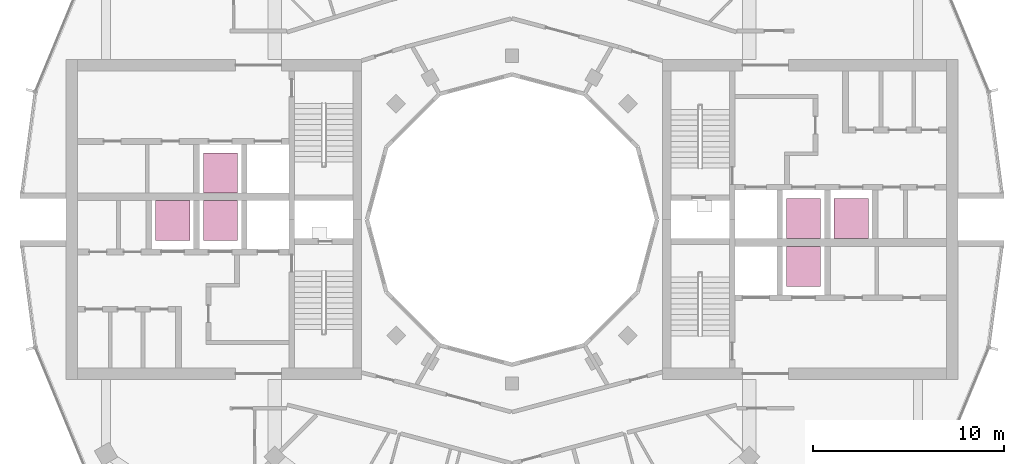
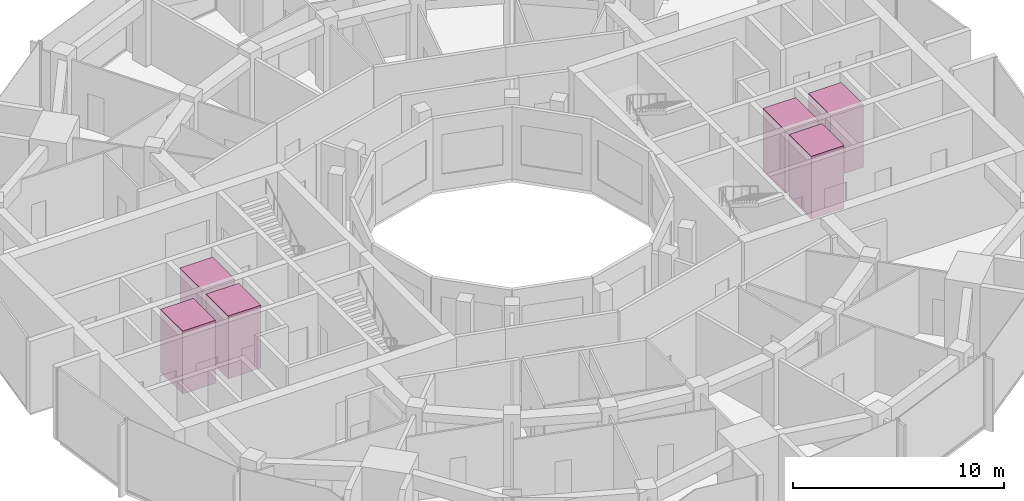
# One storey, part 15 of 15: 6 transport elements.
"""IFC4 building model written with IfcOpenShell, lengths in metres."""

from ifc_helpers import new_model, si_unit, direction, frame, origin, origin_2d, place, context, subcontext, project, spatial, rectangle, extrude, material, type_object, element, save


model = new_model("IFC4")

# Units and contexts
model_context = context("Model", 3, precision=1e-05, world=origin(), true_north=direction((0.0, 1.0)))
body_context = subcontext(model_context, "Body", "Model", "MODEL_VIEW")
ifc_project = project(units=[si_unit("LENGTHUNIT", "METRE"), si_unit("AREAUNIT", "SQUARE_METRE"), si_unit("VOLUMEUNIT", "CUBIC_METRE"), si_unit("PLANEANGLEUNIT", "RADIAN"), si_unit("MASSUNIT", "GRAM", prefix="KILO")], contexts=[model_context])

# Site, building, storey
site_placement = place(None, origin())
site = spatial("IfcSite", under=ifc_project, at=site_placement, CompositionType="ELEMENT")
building_placement = place(site_placement, origin())
building = spatial("IfcBuilding", under=site, at=building_placement, Name="Torre Brocal", CompositionType="ELEMENT")
storey_placement = place(building_placement, frame((0.0, 0.0, 258.300048828125)))
storey = spatial("IfcBuildingStorey", under=building, at=storey_placement, Name="L59", CompositionType="ELEMENT", Elevation=258.300048828125)

# Transport elements
ifc_material = material(Name="Stainless steel AISI 316", Category="steel")
transport_element_type = type_object("IfcTransportElementType", Name="PASSENGER LIFT", PredefinedType="ELEVATOR", material=ifc_material)
for number, where, z_axis, x_axis, name in (
    (1, (95.300048828125, 75.050048828125, 0.0), (0.0, 0.0, 1.0), (1.0, 0.0, 0.0), "HIGH RISE LIFT E-HR1"),
    (2, (95.300048828125, 72.550048828125, 0.0), (0.0, 0.0, 1.0), (1.0, 0.0, 0.0), "HIGH RISE LIFT E-HR2"),
    (3, (97.800048828125, 75.050048828125, 0.0), (0.0, 0.0, 1.0), (1.0, 0.0, 0.0), "HIGH RISE LIFT E-HR3"),
    (4, (64.699951171875, 74.949951171875, 0.0), (0.0, 0.0, 1.0), (1.0, 0.0, 0.0), "HIGH RISE LIFT W-HR1"),
    (5, (64.699951171875, 77.449951171875, 0.0), (0.0, 0.0, 1.0), (1.0, 0.0, 0.0), "HIGH RISE LIFT W-HR2"),
    (6, (62.199951171875, 74.949951171875, 0.0), (0.0, 0.0, 1.0), (1.0, 0.0, 0.0), "HIGH RISE LIFT W-HR3"),
):
    element("IfcTransportElement", number, at=place(storey_placement, frame(where, z_axis=z_axis, x_axis=x_axis)), inside=storey, type_object=transport_element_type, Name=name, PredefinedType="ELEVATOR", context=body_context, shape_type="SweptSolid", body=[
        extrude(rectangle(XDim=1.800048828125, YDim=2.10009765625, at=origin_2d()), origin(), (0.0, 0.0, 1.0), 3.64990234375),
    ])

save(model, "model.ifc")
